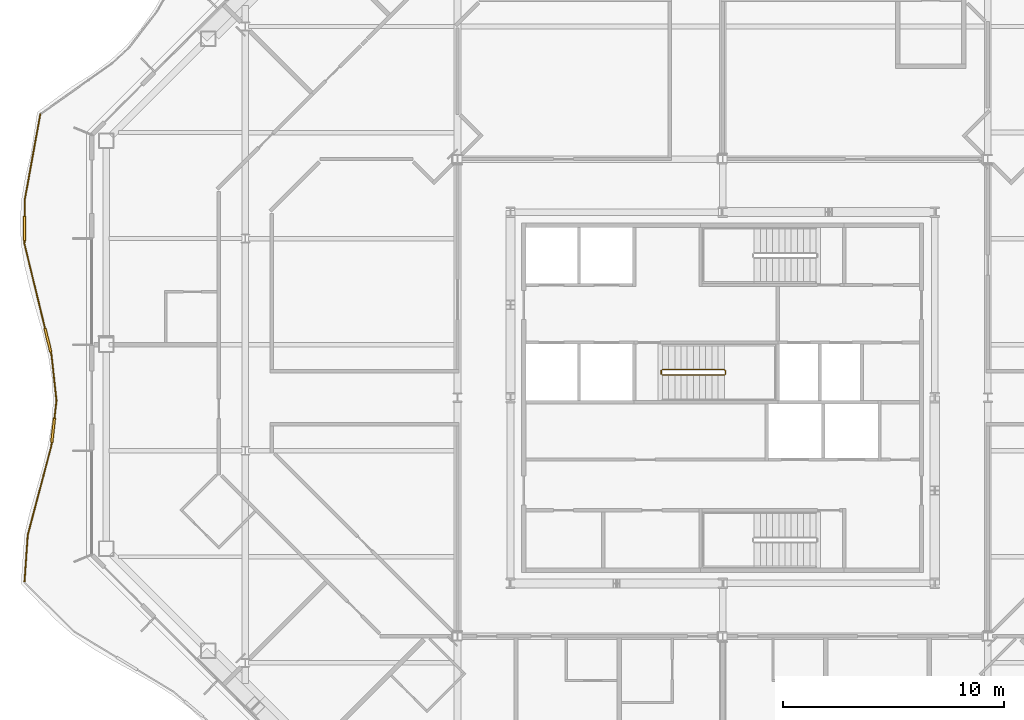
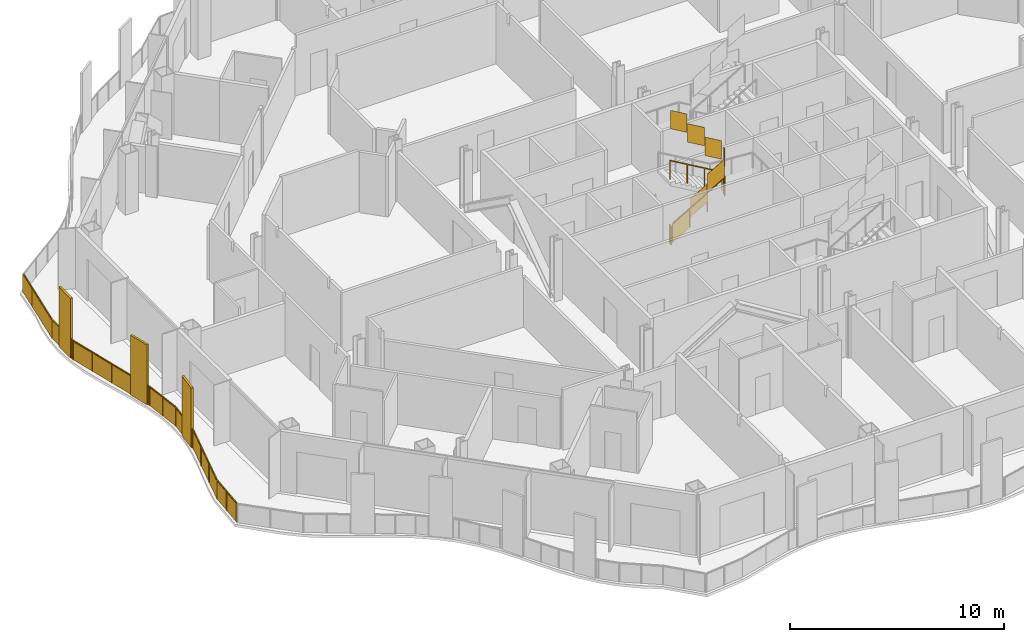
# One storey, part 17 of 21: 3 railings.
"""IFC4 building model written with IfcOpenShell, lengths in metres."""

from ifc_helpers import new_model, si_unit, direction, frame, origin, origin_2d, place, context, subcontext, project, spatial, polyline, rectangle, outline, extrude, material, type_object, element, save


model = new_model("IFC4")

# Units and contexts
model_context = context("Model", 3, precision=1e-05, world=origin(), true_north=direction((0.0, 1.0)))
body_context = subcontext(model_context, "Body", "Model", "MODEL_VIEW")
ifc_project = project(units=[si_unit("LENGTHUNIT", "METRE"), si_unit("AREAUNIT", "SQUARE_METRE"), si_unit("VOLUMEUNIT", "CUBIC_METRE"), si_unit("PLANEANGLEUNIT", "RADIAN"), si_unit("MASSUNIT", "GRAM", prefix="KILO")], contexts=[model_context])

# Site, building, storey
site_placement = place(None, origin())
site = spatial("IfcSite", under=ifc_project, at=site_placement, CompositionType="ELEMENT")
building_placement = place(site_placement, origin())
building = spatial("IfcBuilding", under=site, at=building_placement, Name="Cairn Pilgrim Tower", CompositionType="ELEMENT")
storey_placement = place(building_placement, frame((0.0, 0.0, 143.39990234375)))
storey = spatial("IfcBuildingStorey", under=building, at=storey_placement, Name="L35", CompositionType="ELEMENT", Elevation=143.39990234375)

# Railings
ifc_material_1 = material(Name="Bronze anodised aluminium rail, posts and fin screens with laminated glass infill", Category="aluminium")
railing_type_1 = type_object("IfcRailingType", Name="BALCONY GUARD WITH FIN SCREENS", PredefinedType="GUARDRAIL", material=ifc_material_1)
railing_1_placement = place(storey_placement, frame((-23.68212890625, 15.232177734375, 0.0)))
element("IfcRailing", 1, at=railing_1_placement, inside=storey, type_object=railing_type_1, Name="Balcony guard BGF-7 with fin screens", PredefinedType="GUARDRAIL", context=body_context, shape_type="SweptSolid", body=[
    extrude(rectangle(XDim=0.050048828125, YDim=0.050048828125, at=origin_2d()), frame((0.0, 0.0, 1.0751953125), z_axis=(-0.178176650174, -0.983998516936, 0.0), x_axis=(0.983998516936, -0.178176650174, 0.0)), (0.0, 0.0, 1.0), 3.940673828125),
    extrude(rectangle(XDim=1.10009765625, YDim=0.110107421875, at=origin_2d()), frame((-0.71142578125, -5.167236328125, 0.0), z_axis=(0.0, 0.0, 1.0), x_axis=(-0.007239074117, -0.99997379756, 0.0)), (0.0, 0.0, 1.0), 3.39990234375),
    extrude(rectangle(XDim=0.050048828125, YDim=0.050048828125, at=origin_2d()), frame((-0.7021484375, -3.877685546875, 1.0751953125), z_axis=(-0.007239074117, -0.99997379756, 0.0), x_axis=(0.99997379756, -0.007239074117, 0.0)), (0.0, 0.0, 1.0), 0.73974609375),
    extrude(rectangle(XDim=0.050048828125, YDim=0.050048828125, at=origin_2d()), frame((-0.715576171875, -5.71728515625, 1.0751953125), z_axis=(-0.007239074117, -0.99997379756, 0.0), x_axis=(0.99997379756, -0.007239074117, 0.0)), (0.0, 0.0, 1.0), 0.150146484375),
    extrude(rectangle(XDim=1.10009765625, YDim=0.110107421875, at=origin_2d()), frame((0.3447265625, -10.231201171875, 0.0), z_axis=(0.0, 0.0, 1.0), x_axis=(0.236333577373, -0.971671981795, 0.0)), (0.0, 0.0, 1.0), 3.39990234375),
    extrude(rectangle(XDim=0.050048828125, YDim=0.050048828125, at=origin_2d()), frame((-0.716552734375, -5.867431640625, 1.0751953125), z_axis=(0.236333577373, -0.971671981795, 0.0), x_axis=(0.971671981795, 0.236333577373, 0.0)), (0.0, 0.0, 1.0), 3.941162109375),
    extrude(rectangle(XDim=0.050048828125, YDim=0.050048828125, at=origin_2d()), frame((0.474853515625, -10.765625, 1.0751953125), z_axis=(0.236333577373, -0.971671981795, 0.0), x_axis=(0.971671981795, 0.236333577373, 0.0)), (0.0, 0.0, 1.0), 0.14990234375),
    extrude(rectangle(XDim=0.050048828125, YDim=0.050048828125, at=origin_2d()), frame((0.51025390625, -10.911376953125, 1.0751953125), z_axis=(0.108115215138, -0.994138370779, 0.0), x_axis=(0.994138370779, 0.108115215138, 0.0)), (0.0, 0.0, 1.0), 2.059326171875),
    extrude(rectangle(XDim=1.10009765625, YDim=0.110107421875, at=origin_2d()), frame((0.580322265625, -14.311767578125, 0.0), z_axis=(0.0, 0.0, 1.0), x_axis=(-0.112147058151, -0.99369162085, 0.0)), (0.0, 0.0, 1.0), 3.39990234375),
    extrude(rectangle(XDim=0.050048828125, YDim=0.050048828125, at=origin_2d()), frame((0.73291015625, -12.958740234375, 1.0751953125), z_axis=(-0.112147058151, -0.99369162085, 0.0), x_axis=(0.99369162085, -0.112147058151, 0.0)), (0.0, 0.0, 1.0), 0.8115234375),
    extrude(rectangle(XDim=0.050048828125, YDim=0.050048828125, at=origin_2d()), frame((0.5185546875, -14.858154296875, 1.0751953125), z_axis=(-0.112147058151, -0.99369162085, 0.0), x_axis=(0.99369162085, -0.112147058151, 0.0)), (0.0, 0.0, 1.0), 0.150146484375),
    extrude(rectangle(XDim=0.050048828125, YDim=0.050048828125, at=origin_2d()), frame((0.501708984375, -15.00732421875, 1.0751953125), z_axis=(-0.255727114517, -0.966749007189, 0.0), x_axis=(0.966749007189, -0.255727114517, 0.0)), (0.0, 0.0, 1.0), 4.177734375),
    extrude(rectangle(XDim=0.050048828125, YDim=0.050048828125, at=origin_2d()), frame((-0.566650390625, -19.046142578125, 1.0751953125), z_axis=(-0.069541650189, -0.997579048942, 0.0), x_axis=(0.997579048942, -0.069541650189, 0.0)), (0.0, 0.0, 1.0), 2.095947265625),
    extrude(rectangle(XDim=0.050048828125, YDim=0.050048828125, at=origin_2d()), origin(), (0.0, 0.0, 1.0), 1.050048828125),
    extrude(rectangle(XDim=0.050048828125, YDim=0.050048828125, at=origin_2d()), frame((-0.234130859375, -1.29248046875, 0.0)), (0.0, 0.0, 1.0), 1.050048828125),
    extrude(rectangle(XDim=0.050048828125, YDim=0.050048828125, at=origin_2d()), frame((-0.468017578125, -2.585205078125, 0.0)), (0.0, 0.0, 1.0), 1.050048828125),
    extrude(rectangle(XDim=0.050048828125, YDim=0.050048828125, at=origin_2d()), frame((-0.7021484375, -3.877685546875, 0.0)), (0.0, 0.0, 1.0), 1.050048828125),
    extrude(rectangle(XDim=0.050048828125, YDim=0.050048828125, at=origin_2d()), frame((-0.707275390625, -4.59228515625, 0.0)), (0.0, 0.0, 1.0), 1.050048828125),
    extrude(rectangle(XDim=0.050048828125, YDim=0.050048828125, at=origin_2d()), frame((-0.715576171875, -5.742431640625, 0.0)), (0.0, 0.0, 1.0), 1.050048828125),
    extrude(rectangle(XDim=0.050048828125, YDim=0.050048828125, at=origin_2d()), frame((-0.716552734375, -5.867431640625, 0.0)), (0.0, 0.0, 1.0), 1.050048828125),
    extrude(rectangle(XDim=0.050048828125, YDim=0.050048828125, at=origin_2d()), frame((-0.407958984375, -7.1357421875, 0.0)), (0.0, 0.0, 1.0), 1.050048828125),
    extrude(rectangle(XDim=0.050048828125, YDim=0.050048828125, at=origin_2d()), frame((-0.099609375, -8.404052734375, 0.0)), (0.0, 0.0, 1.0), 1.050048828125),
    extrude(rectangle(XDim=0.050048828125, YDim=0.050048828125, at=origin_2d()), frame((0.208984375, -9.672607421875, 0.0)), (0.0, 0.0, 1.0), 1.050048828125),
    extrude(rectangle(XDim=0.050048828125, YDim=0.050048828125, at=origin_2d()), frame((0.480712890625, -10.7900390625, 0.0)), (0.0, 0.0, 1.0), 1.050048828125),
    extrude(rectangle(XDim=0.050048828125, YDim=0.050048828125, at=origin_2d()), frame((0.51025390625, -10.911376953125, 0.0)), (0.0, 0.0, 1.0), 1.050048828125),
    extrude(rectangle(XDim=0.050048828125, YDim=0.050048828125, at=origin_2d()), frame((0.62158203125, -11.93505859375, 0.0)), (0.0, 0.0, 1.0), 1.050048828125),
    extrude(rectangle(XDim=0.050048828125, YDim=0.050048828125, at=origin_2d()), frame((0.73291015625, -12.958740234375, 0.0)), (0.0, 0.0, 1.0), 1.050048828125),
    extrude(rectangle(XDim=0.050048828125, YDim=0.050048828125, at=origin_2d()), frame((0.644775390625, -13.740234375, 0.0)), (0.0, 0.0, 1.0), 1.050048828125),
    extrude(rectangle(XDim=0.050048828125, YDim=0.050048828125, at=origin_2d()), frame((0.515625, -14.883056640625, 0.0)), (0.0, 0.0, 1.0), 1.050048828125),
    extrude(rectangle(XDim=0.050048828125, YDim=0.050048828125, at=origin_2d()), frame((0.501708984375, -15.00732421875, 0.0)), (0.0, 0.0, 1.0), 1.050048828125),
    extrude(rectangle(XDim=0.050048828125, YDim=0.050048828125, at=origin_2d()), frame((0.1455078125, -16.353515625, 0.0)), (0.0, 0.0, 1.0), 1.050048828125),
    extrude(rectangle(XDim=0.050048828125, YDim=0.050048828125, at=origin_2d()), frame((-0.21044921875, -17.699951171875, 0.0)), (0.0, 0.0, 1.0), 1.050048828125),
    extrude(rectangle(XDim=0.050048828125, YDim=0.050048828125, at=origin_2d()), frame((-0.566650390625, -19.046142578125, 0.0)), (0.0, 0.0, 1.0), 1.050048828125),
    extrude(rectangle(XDim=0.050048828125, YDim=0.050048828125, at=origin_2d()), frame((-0.6396484375, -20.091552734375, 0.0)), (0.0, 0.0, 1.0), 1.050048828125),
    extrude(rectangle(XDim=0.050048828125, YDim=0.050048828125, at=origin_2d()), frame((-0.71240234375, -21.136962890625, 0.0)), (0.0, 0.0, 1.0), 1.050048828125),
    extrude(outline(polyline([(0.02490234375, 0.0), (1.28857421875, 0.0), (1.28857421875, 1.050048828125), (0.02490234375, 1.050048828125), (0.02490234375, 0.0)])), frame((0.005859375, -0.0009765625, 0.0), z_axis=(-0.983998516936, 0.178176650174, 0.0), x_axis=(-0.178176650174, -0.983998516936, 0.0)), (0.0, 0.0, 1.0), 0.011962890625),
    extrude(outline(polyline([(0.02490234375, 0.0), (1.28857421875, 0.0), (1.28857421875, 1.050048828125), (0.02490234375, 1.050048828125), (0.02490234375, 0.0)])), frame((-0.228271484375, -1.293701171875, 0.0), z_axis=(-0.983998516936, 0.178176650174, 0.0), x_axis=(-0.178176650174, -0.983998516936, 0.0)), (0.0, 0.0, 1.0), 0.011962890625),
    extrude(outline(polyline([(0.02490234375, 0.0), (1.28857421875, 0.0), (1.28857421875, 1.050048828125), (0.02490234375, 1.050048828125), (0.02490234375, 0.0)])), frame((-0.462158203125, -2.586181640625, 0.0), z_axis=(-0.983998516936, 0.178176650174, 0.0), x_axis=(-0.178176650174, -0.983998516936, 0.0)), (0.0, 0.0, 1.0), 0.011962890625),
    extrude(outline(polyline([(0.02490234375, 0.0), (0.689697265625, 0.0), (0.689697265625, 1.050048828125), (0.02490234375, 1.050048828125), (0.02490234375, 0.0)])), frame((-0.6962890625, -3.877685546875, 0.0), z_axis=(-0.99997379756, 0.007239074117, 0.0), x_axis=(-0.007239074117, -0.99997379756, 0.0)), (0.0, 0.0, 1.0), 0.011962890625),
    extrude(outline(polyline([(0.02490234375, 0.0), (0.10009765625, 0.0), (0.10009765625, 1.050048828125), (0.02490234375, 1.050048828125), (0.02490234375, 0.0)])), frame((-0.709716796875, -5.742431640625, 0.0), z_axis=(-0.99997379756, 0.007239074117, 0.0), x_axis=(-0.007239074117, -0.99997379756, 0.0)), (0.0, 0.0, 1.0), 0.011962890625),
    extrude(outline(polyline([(0.02490234375, 0.0), (1.2802734375, 0.0), (1.2802734375, 1.050048828125), (0.02490234375, 1.050048828125), (0.02490234375, 0.0)])), frame((-0.710693359375, -5.865966796875, 0.0), z_axis=(-0.971671981795, -0.236333577373, 0.0), x_axis=(0.236333577373, -0.971671981795, 0.0)), (0.0, 0.0, 1.0), 0.011962890625),
    extrude(outline(polyline([(0.02490234375, 0.0), (1.2802734375, 0.0), (1.2802734375, 1.050048828125), (0.02490234375, 1.050048828125), (0.02490234375, 0.0)])), frame((-0.40234375, -7.13427734375, 0.0), z_axis=(-0.971671981795, -0.236333577373, 0.0), x_axis=(0.236333577373, -0.971671981795, 0.0)), (0.0, 0.0, 1.0), 0.011962890625),
    extrude(outline(polyline([(0.02490234375, 0.0), (1.2802734375, 0.0), (1.2802734375, 1.050048828125), (0.02490234375, 1.050048828125), (0.02490234375, 0.0)])), frame((-0.09375, -8.40283203125, 0.0), z_axis=(-0.971671981795, -0.236333577373, 0.0), x_axis=(0.236333577373, -0.971671981795, 0.0)), (0.0, 0.0, 1.0), 0.011962890625),
    extrude(outline(polyline([(0.02490234375, 0.0), (0.099853515625, 0.0), (0.099853515625, 1.050048828125), (0.02490234375, 1.050048828125), (0.02490234375, 0.0)])), frame((0.486572265625, -10.78857421875, 0.0), z_axis=(-0.971671981795, -0.236333577373, 0.0), x_axis=(0.236333577373, -0.971671981795, 0.0)), (0.0, 0.0, 1.0), 0.011962890625),
    extrude(outline(polyline([(0.02490234375, 0.0), (1.004638671875, 0.0), (1.004638671875, 1.050048828125), (0.02490234375, 1.050048828125), (0.02490234375, 0.0)])), frame((0.51611328125, -10.91064453125, 0.0), z_axis=(-0.994138370779, -0.108115215138, 0.0), x_axis=(0.108115215138, -0.994138370779, 0.0)), (0.0, 0.0, 1.0), 0.011962890625),
    extrude(outline(polyline([(0.02490234375, 0.0), (1.004638671875, 0.0), (1.004638671875, 1.050048828125), (0.02490234375, 1.050048828125), (0.02490234375, 0.0)])), frame((0.62744140625, -11.934326171875, 0.0), z_axis=(-0.994138370779, -0.108115215138, 0.0), x_axis=(0.108115215138, -0.994138370779, 0.0)), (0.0, 0.0, 1.0), 0.011962890625),
    extrude(outline(polyline([(0.02490234375, 0.0), (0.761474609375, 0.0), (0.761474609375, 1.050048828125), (0.02490234375, 1.050048828125), (0.02490234375, 0.0)])), frame((0.73876953125, -12.95947265625, 0.0), z_axis=(-0.99369162085, 0.112147058151, 0.0), x_axis=(-0.112147058151, -0.99369162085, 0.0)), (0.0, 0.0, 1.0), 0.011962890625),
    extrude(outline(polyline([(0.02490234375, 0.0), (0.10009765625, 0.0), (0.10009765625, 1.050048828125), (0.02490234375, 1.050048828125), (0.02490234375, 0.0)])), frame((0.521728515625, -14.8837890625, 0.0), z_axis=(-0.99369162085, 0.112147058151, 0.0), x_axis=(-0.112147058151, -0.99369162085, 0.0)), (0.0, 0.0, 1.0), 0.011962890625),
    extrude(outline(polyline([(0.02490234375, 0.0), (1.367431640625, 0.0), (1.367431640625, 1.050048828125), (0.02490234375, 1.050048828125), (0.02490234375, 0.0)])), frame((0.507568359375, -15.0087890625, 0.0), z_axis=(-0.966749007189, 0.255727114517, 0.0), x_axis=(-0.255727114517, -0.966749007189, 0.0)), (0.0, 0.0, 1.0), 0.011962890625),
    extrude(outline(polyline([(0.02490234375, 0.0), (1.367431640625, 0.0), (1.367431640625, 1.050048828125), (0.02490234375, 1.050048828125), (0.02490234375, 0.0)])), frame((0.1513671875, -16.355224609375, 0.0), z_axis=(-0.966749007189, 0.255727114517, 0.0), x_axis=(-0.255727114517, -0.966749007189, 0.0)), (0.0, 0.0, 1.0), 0.011962890625),
    extrude(outline(polyline([(0.02490234375, 0.0), (1.367431640625, 0.0), (1.367431640625, 1.050048828125), (0.02490234375, 1.050048828125), (0.02490234375, 0.0)])), frame((-0.204833984375, -17.701416015625, 0.0), z_axis=(-0.966749007189, 0.255727114517, 0.0), x_axis=(-0.255727114517, -0.966749007189, 0.0)), (0.0, 0.0, 1.0), 0.011962890625),
    extrude(outline(polyline([(0.02490234375, 0.0), (1.02294921875, 0.0), (1.02294921875, 1.050048828125), (0.02490234375, 1.050048828125), (0.02490234375, 0.0)])), frame((-0.560791015625, -19.046630859375, 0.0), z_axis=(-0.997579048942, 0.069541650189, 0.0), x_axis=(-0.069541650189, -0.997579048942, 0.0)), (0.0, 0.0, 1.0), 0.011962890625),
    extrude(outline(polyline([(0.02490234375, 0.0), (1.02294921875, 0.0), (1.02294921875, 1.050048828125), (0.02490234375, 1.050048828125), (0.02490234375, 0.0)])), frame((-0.633544921875, -20.092041015625, 0.0), z_axis=(-0.997579048942, 0.069541650189, 0.0), x_axis=(-0.069541650189, -0.997579048942, 0.0)), (0.0, 0.0, 1.0), 0.011962890625),
])
ifc_material_2 = material(Name="Painted steel", Category="steel")
railing_type_2 = type_object("IfcRailingType", Name="STAIR GUARD 1100", PredefinedType="GUARDRAIL", material=ifc_material_2)
railing_2_placement = place(storey_placement, frame((4.47509765625, 3.425048828125, 0.163818359375)))
element("IfcRailing", 2, at=railing_2_placement, inside=storey, type_object=railing_type_2, Name="L35 ST-B stair guard 1", PredefinedType="GUARDRAIL", context=body_context, shape_type="SweptSolid", body=[
    extrude(rectangle(XDim=0.048095703125, YDim=0.048095703125, at=origin_2d()), frame((0.0, 0.0, 1.076171875), z_axis=(0.863374499697, 0.0, 0.504563646405), x_axis=(0.0, 1.0, 0.0)), (0.0, 0.0, 1.0), 3.242919921875),
    extrude(rectangle(XDim=0.048095703125, YDim=0.048095703125, at=origin_2d()), frame((2.7998046875, 0.0, 2.71240234375), z_axis=(0.707106781187, 0.707106781187, 0.0), x_axis=(-0.707106781187, 0.707106781187, 0.0)), (0.0, 0.0, 1.0), 0.07080078125),
    extrude(rectangle(XDim=0.048095703125, YDim=0.048095703125, at=origin_2d()), frame((2.849853515625, 0.050048828125, 2.71240234375), z_axis=(0.0, 1.0, 0.0), x_axis=(-1.0, 0.0, 0.0)), (0.0, 0.0, 1.0), 0.14990234375),
    extrude(rectangle(XDim=0.048095703125, YDim=0.048095703125, at=origin_2d()), frame((2.849853515625, 0.199951171875, 2.71240234375), z_axis=(-0.280808744504, 0.280808744504, 0.917765164963), x_axis=(-0.707106781187, -0.707106781187, 0.0)), (0.0, 0.0, 1.0), 0.17822265625),
    extrude(rectangle(XDim=0.048095703125, YDim=0.048095703125, at=origin_2d()), frame((2.7998046875, 0.25, 2.8759765625), z_axis=(-0.863341702679, 0.0, 0.504619762213), x_axis=(0.0, -1.0, 0.0)), (0.0, 0.0, 1.0), 3.242919921875),
    extrude(rectangle(XDim=0.0419921875, YDim=0.0419921875, at=origin_2d()), origin(), (0.0, 0.0, 1.0), 1.052001953125),
    extrude(rectangle(XDim=0.0419921875, YDim=0.0419921875, at=origin_2d()), frame((0.933349609375, 0.0, 0.54541015625)), (0.0, 0.0, 1.0), 1.052001953125),
    extrude(rectangle(XDim=0.0419921875, YDim=0.0419921875, at=origin_2d()), frame((1.866455078125, 0.0, 1.0908203125)), (0.0, 0.0, 1.0), 1.052001953125),
    extrude(rectangle(XDim=0.0419921875, YDim=0.0419921875, at=origin_2d()), frame((2.7998046875, 0.0, 1.63623046875)), (0.0, 0.0, 1.0), 1.052001953125),
    extrude(rectangle(XDim=0.0419921875, YDim=0.0419921875, at=origin_2d()), frame((2.849853515625, 0.050048828125, 1.63623046875)), (0.0, 0.0, 1.0), 1.052001953125),
    extrude(rectangle(XDim=0.0419921875, YDim=0.0419921875, at=origin_2d()), frame((2.849853515625, 0.199951171875, 1.63623046875)), (0.0, 0.0, 1.0), 1.052001953125),
    extrude(rectangle(XDim=0.0419921875, YDim=0.0419921875, at=origin_2d()), frame((2.7998046875, 0.25, 1.7998046875)), (0.0, 0.0, 1.0), 1.052001953125),
    extrude(rectangle(XDim=0.0419921875, YDim=0.0419921875, at=origin_2d()), frame((1.866455078125, 0.25, 2.34521484375)), (0.0, 0.0, 1.0), 1.052001953125),
    extrude(rectangle(XDim=0.0419921875, YDim=0.0419921875, at=origin_2d()), frame((0.933349609375, 0.25, 2.890869140625)), (0.0, 0.0, 1.0), 1.052001953125),
    extrude(rectangle(XDim=0.0419921875, YDim=0.0419921875, at=origin_2d()), frame((0.0, 0.25, 3.436279296875)), (0.0, 0.0, 1.0), 1.052001953125),
    extrude(outline(polyline([(0.02099609375, 0.01220703125), (0.912353515625, 0.533203125), (0.912353515625, 1.585205078125), (0.02099609375, 1.064208984375), (0.02099609375, 0.01220703125)])), frame((0.0, 0.005859375, 0.0), z_axis=(0.0, -1.0, 0.0), x_axis=(1.0, 0.0, 0.0)), (0.0, 0.0, 1.0), 0.011962890625),
    extrude(outline(polyline([(0.02099609375, 0.5576171875), (0.912353515625, 1.07861328125), (0.912353515625, 2.130615234375), (0.02099609375, 1.609619140625), (0.02099609375, 0.5576171875)])), frame((0.933349609375, 0.005859375, 0.54541015625), z_axis=(0.0, -1.0, 0.0), x_axis=(1.0, 0.0, 0.0)), (0.0, 0.0, 1.0), 0.011962890625),
    extrude(outline(polyline([(0.02099609375, 1.10302734375), (0.912353515625, 1.6240234375), (0.912353515625, 2.676025390625), (0.02099609375, 2.155029296875), (0.02099609375, 1.10302734375)])), frame((1.866455078125, 0.005859375, 1.0908203125), z_axis=(0.0, -1.0, 0.0), x_axis=(1.0, 0.0, 0.0)), (0.0, 0.0, 1.0), 0.011962890625),
    extrude(outline(polyline([(0.02099609375, 1.63623046875), (0.12890625, 1.63623046875), (0.12890625, 2.688232421875), (0.02099609375, 2.688232421875), (0.02099609375, 1.63623046875)])), frame((2.84375, 0.050048828125, 1.63623046875), z_axis=(1.0, 0.0, 0.0), x_axis=(0.0, 1.0, 0.0)), (0.0, 0.0, 1.0), 0.011962890625),
    extrude(outline(polyline([(0.02099609375, 1.81201171875), (0.912353515625, 2.3330078125), (0.912353515625, 3.385009765625), (0.02099609375, 2.864013671875), (0.02099609375, 1.81201171875)])), frame((2.7998046875, 0.244140625, 1.7998046875), z_axis=(0.0, 1.0, 0.0), x_axis=(-1.0, 0.0, 0.0)), (0.0, 0.0, 1.0), 0.011962890625),
    extrude(outline(polyline([(0.02099609375, 2.357666015625), (0.912353515625, 2.87841796875), (0.912353515625, 3.930419921875), (0.02099609375, 3.40966796875), (0.02099609375, 2.357666015625)])), frame((1.866455078125, 0.244140625, 2.34521484375), z_axis=(0.0, 1.0, 0.0), x_axis=(-1.0, 0.0, 0.0)), (0.0, 0.0, 1.0), 0.011962890625),
    extrude(outline(polyline([(0.02099609375, 2.903076171875), (0.912353515625, 3.424072265625), (0.912353515625, 4.47607421875), (0.02099609375, 3.955078125), (0.02099609375, 2.903076171875)])), frame((0.933349609375, 0.244140625, 2.890869140625), z_axis=(0.0, 1.0, 0.0), x_axis=(-1.0, 0.0, 0.0)), (0.0, 0.0, 1.0), 0.011962890625),
])
railing_3_placement = place(storey_placement, frame((4.425048828125, 3.47509765625, 0.0)))
element("IfcRailing", 3, at=railing_3_placement, inside=storey, type_object=railing_type_2, Name="L35 ST-B stair guard 2", PredefinedType="GUARDRAIL", context=body_context, shape_type="SweptSolid", body=[
    extrude(rectangle(XDim=0.048095703125, YDim=0.048095703125, at=origin_2d()), frame((0.0, 0.0, 1.076171875), z_axis=(0.0, 1.0, 0.0), x_axis=(-1.0, 0.0, 0.0)), (0.0, 0.0, 1.0), 0.14990234375),
    extrude(rectangle(XDim=0.0419921875, YDim=0.0419921875, at=origin_2d()), origin(), (0.0, 0.0, 1.0), 1.052001953125),
    extrude(rectangle(XDim=0.0419921875, YDim=0.0419921875, at=origin_2d()), frame((0.0, 0.14990234375, 0.0)), (0.0, 0.0, 1.0), 1.052001953125),
    extrude(outline(polyline([(0.02099609375, 0.0), (0.12890625, 0.0), (0.12890625, 1.052001953125), (0.02099609375, 1.052001953125), (0.02099609375, 0.0)])), frame((-0.005859375, 0.0, 0.0), z_axis=(1.0, 0.0, 0.0), x_axis=(0.0, 1.0, 0.0)), (0.0, 0.0, 1.0), 0.011962890625),
])

save(model, "model.ifc")
